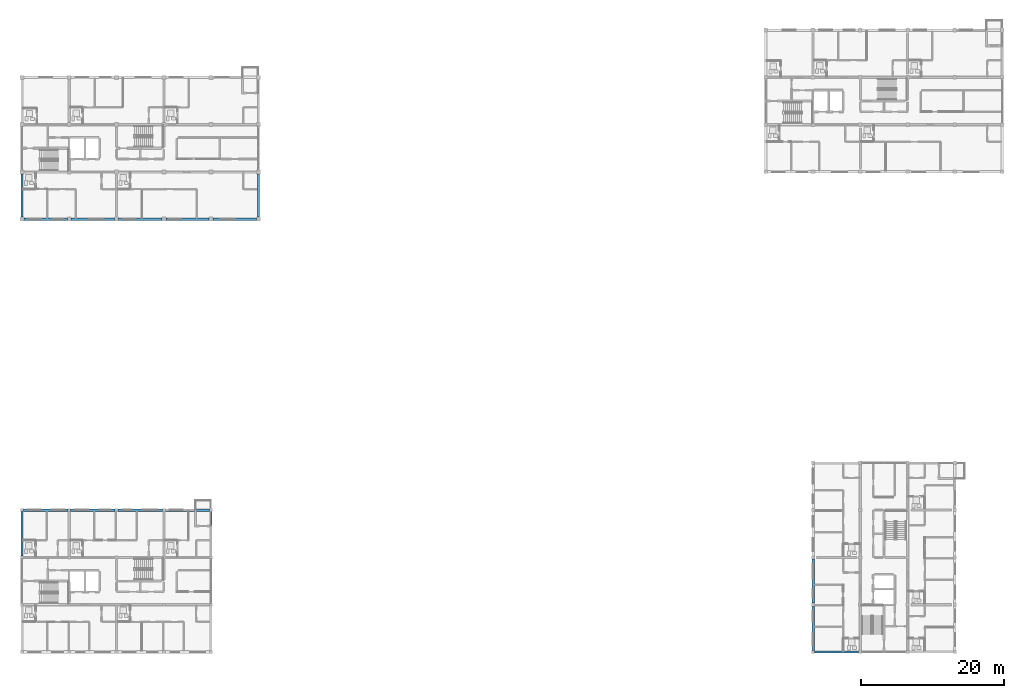
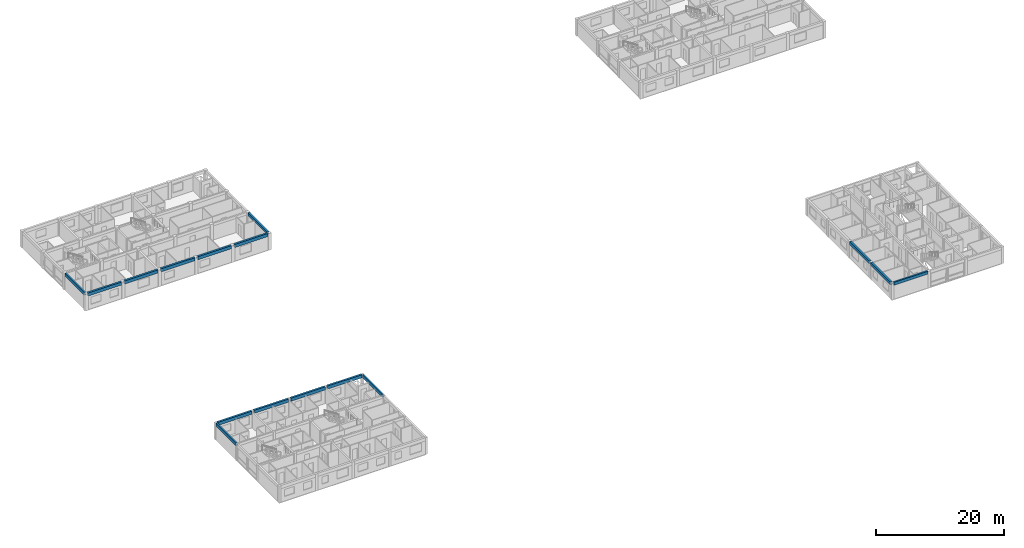
# One storey, part 11 of 45: 16 beams.
"""IFC4 building model written with IfcOpenShell, lengths in metres."""

from ifc_helpers import new_model, si_unit, direction, frame, origin, origin_2d, place, context, subcontext, project, spatial, rectangle, extrude, material, material_profile, profile_set, type_object, element, save


model = new_model("IFC4")

# Units and contexts
model_context = context("Model", 3, precision=1e-05, world=origin(), true_north=direction((0.0, 1.0)))
body_context = subcontext(model_context, "Body", "Model", "MODEL_VIEW")
ifc_project = project(units=[si_unit("LENGTHUNIT", "METRE"), si_unit("AREAUNIT", "SQUARE_METRE"), si_unit("VOLUMEUNIT", "CUBIC_METRE"), si_unit("PLANEANGLEUNIT", "RADIAN"), si_unit("MASSUNIT", "GRAM", prefix="KILO")], contexts=[model_context])

# Site, building, storey
site_placement = place(None, origin())
site = spatial("IfcSite", under=ifc_project, at=site_placement, CompositionType="ELEMENT")
building_placement = place(site_placement, origin())
building = spatial("IfcBuilding", under=site, at=building_placement, Name="Kernevlak Ridge Housing Community", CompositionType="ELEMENT")
storey_placement = place(building_placement, frame((0.0, 0.0, 14.800048828125)))
storey = spatial("IfcBuildingStorey", under=building, at=storey_placement, Name="L04", CompositionType="ELEMENT", Elevation=14.800048828125)

# Beams
ifc_material = material(Name="Concrete C35/45", Category="concrete")
ifc_material_profile_1 = material_profile(ifc_material, rectangle(XDim=0.300048828125, YDim=0.550048828125, at=origin_2d()), Name="RC 300x550")
ifc_profile_set_1 = profile_set([ifc_material_profile_1], Name="Concrete C35/45")
beam_type_1 = type_object("IfcBeamType", Name="SP-01", PredefinedType="SPANDREL", material=ifc_profile_set_1)
for number, where, z_axis, x_axis, name in (
    (1, (15.60009765625, 76.27490234375, 2.925048828125), (0.0, 1.0, 0.0), (-1.0, 0.0, 0.0), "Beam SP-01 L04 181"),
    (2, (48.60009765625, 76.27490234375, 2.925048828125), (0.0, 1.0, 0.0), (-1.0, 0.0, 0.0), "Beam SP-01 L04 184"),
):
    element("IfcBeam", number, at=place(storey_placement, frame(where, z_axis=z_axis, x_axis=x_axis)), inside=storey, type_object=beam_type_1, Name=name, PredefinedType="SPANDREL", context=body_context, shape_type="SweptSolid", body=[
        extrude(rectangle(XDim=0.300048828125, YDim=0.550048828125, at=origin_2d()), origin(), (0.0, 0.0, 1.0), 6.050048828125),
    ])
beam_1_placement = place(storey_placement, frame((126.22509765625, 15.60009765625, 2.925048828125), z_axis=(1.0, 0.0, 0.0), x_axis=(0.0, 1.0, 0.0)))
element("IfcBeam", 3, at=beam_1_placement, inside=storey, type_object=beam_type_1, Name="Beam SP-01 L04 1106", PredefinedType="SPANDREL", context=body_context, shape_type="SweptSolid", body=[
    extrude(rectangle(XDim=0.300048828125, YDim=0.550048828125, at=origin_2d()), origin(), (0.0, 0.0, 1.0), 6.14990234375),
])
for number, where, z_axis, x_axis, name in (
    (4, (15.60009765625, 29.0, 2.925048828125), (0.0, 1.0, 0.0), (-1.0, 0.0, 0.0), "Beam SP-01 L04 1428"),
    (5, (42.0, 29.0, 2.925048828125), (0.0, 1.0, 0.0), (-1.0, 0.0, 0.0), "Beam SP-01 L04 1431"),
):
    element("IfcBeam", number, at=place(storey_placement, frame(where, z_axis=z_axis, x_axis=x_axis)), inside=storey, type_object=beam_type_1, Name=name, PredefinedType="SPANDREL", context=body_context, shape_type="SweptSolid", body=[
        extrude(rectangle(XDim=0.300048828125, YDim=0.550048828125, at=origin_2d()), origin(), (0.0, 0.0, 1.0), 6.199951171875),
    ])
ifc_material_profile_2 = material_profile(ifc_material, rectangle(XDim=0.35009765625, YDim=0.60009765625, at=origin_2d()), Name="RC 350x600")
ifc_profile_set_2 = profile_set([ifc_material_profile_2], Name="Concrete C35/45")
beam_type_2 = type_object("IfcBeamType", Name="SP-03", PredefinedType="SPANDREL", material=ifc_profile_set_2)
beam_2_placement = place(storey_placement, frame((15.875, 76.0, 2.89990234375), z_axis=(1.0, 0.0, 0.0), x_axis=(0.0, 1.0, 0.0)))
element("IfcBeam", 6, at=beam_2_placement, inside=storey, type_object=beam_type_2, Name="Beam SP-03 L04 161", PredefinedType="SPANDREL", context=body_context, shape_type="SweptSolid", body=[
    extrude(rectangle(XDim=0.35009765625, YDim=0.60009765625, at=origin_2d()), origin(), (0.0, 0.0, 1.0), 6.050048828125),
])
beam_3_placement = place(storey_placement, frame((22.47509765625, 76.0, 2.89990234375), z_axis=(1.0, 0.0, 0.0), x_axis=(0.0, 1.0, 0.0)))
element("IfcBeam", 7, at=beam_3_placement, inside=storey, type_object=beam_type_2, Name="Beam SP-03 L04 162", PredefinedType="SPANDREL", context=body_context, shape_type="SweptSolid", body=[
    extrude(rectangle(XDim=0.35009765625, YDim=0.60009765625, at=origin_2d()), origin(), (0.0, 0.0, 1.0), 6.0498046875),
])
for number, where, z_axis, x_axis, name in (
    (8, (29.074951171875, 76.0, 2.89990234375), (1.0, 0.0, 0.0), (0.0, 1.0, 0.0), "Beam SP-03 L04 163"),
    (9, (35.675048828125, 76.0, 2.89990234375), (1.0, 0.0, 0.0), (0.0, 1.0, 0.0), "Beam SP-03 L04 164"),
    (10, (42.27490234375, 76.0, 2.89990234375), (1.0, 0.0, 0.0), (0.0, 1.0, 0.0), "Beam SP-03 L04 165"),
):
    element("IfcBeam", number, at=place(storey_placement, frame(where, z_axis=z_axis, x_axis=x_axis)), inside=storey, type_object=beam_type_2, Name=name, PredefinedType="SPANDREL", context=body_context, shape_type="SweptSolid", body=[
        extrude(rectangle(XDim=0.35009765625, YDim=0.60009765625, at=origin_2d()), origin(), (0.0, 0.0, 1.0), 6.050048828125),
    ])
beam_4_placement = place(storey_placement, frame((126.0, 15.824951171875, 2.89990234375), z_axis=(0.0, 1.0, 0.0), x_axis=(-1.0, 0.0, 0.0)))
element("IfcBeam", 11, at=beam_4_placement, inside=storey, type_object=beam_type_2, Name="Beam SP-03 L04 1090", PredefinedType="SPANDREL", context=body_context, shape_type="SweptSolid", body=[
    extrude(rectangle(XDim=0.35009765625, YDim=0.60009765625, at=origin_2d()), origin(), (0.0, 0.0, 1.0), 6.150146484375),
])
beam_5_placement = place(storey_placement, frame((126.0, 22.425048828125, 2.89990234375), z_axis=(0.0, 1.0, 0.0), x_axis=(-1.0, 0.0, 0.0)))
element("IfcBeam", 12, at=beam_5_placement, inside=storey, type_object=beam_type_2, Name="Beam SP-03 L04 1091", PredefinedType="SPANDREL", context=body_context, shape_type="SweptSolid", body=[
    extrude(rectangle(XDim=0.35009765625, YDim=0.60009765625, at=origin_2d()), origin(), (0.0, 0.0, 1.0), 6.14990234375),
])
beam_6_placement = place(storey_placement, frame((15.800048828125, 35.39990234375, 2.89990234375), z_axis=(1.0, 0.0, 0.0), x_axis=(0.0, 1.0, 0.0)))
element("IfcBeam", 13, at=beam_6_placement, inside=storey, type_object=beam_type_2, Name="Beam SP-03 L04 1422", PredefinedType="SPANDREL", context=body_context, shape_type="SweptSolid", body=[
    extrude(rectangle(XDim=0.35009765625, YDim=0.60009765625, at=origin_2d()), origin(), (0.0, 0.0, 1.0), 6.199951171875),
])
beam_7_placement = place(storey_placement, frame((22.39990234375, 35.39990234375, 2.89990234375), z_axis=(1.0, 0.0, 0.0), x_axis=(0.0, 1.0, 0.0)))
element("IfcBeam", 14, at=beam_7_placement, inside=storey, type_object=beam_type_2, Name="Beam SP-03 L04 1423", PredefinedType="SPANDREL", context=body_context, shape_type="SweptSolid", body=[
    extrude(rectangle(XDim=0.35009765625, YDim=0.60009765625, at=origin_2d()), origin(), (0.0, 0.0, 1.0), 6.2001953125),
])
for number, where, z_axis, x_axis, name in (
    (15, (29.0, 35.39990234375, 2.89990234375), (1.0, 0.0, 0.0), (0.0, 1.0, 0.0), "Beam SP-03 L04 1424"),
    (16, (35.60009765625, 35.39990234375, 2.89990234375), (1.0, 0.0, 0.0), (0.0, 1.0, 0.0), "Beam SP-03 L04 1425"),
):
    element("IfcBeam", number, at=place(storey_placement, frame(where, z_axis=z_axis, x_axis=x_axis)), inside=storey, type_object=beam_type_2, Name=name, PredefinedType="SPANDREL", context=body_context, shape_type="SweptSolid", body=[
        extrude(rectangle(XDim=0.35009765625, YDim=0.60009765625, at=origin_2d()), origin(), (0.0, 0.0, 1.0), 6.199951171875),
    ])

save(model, "model.ifc")
